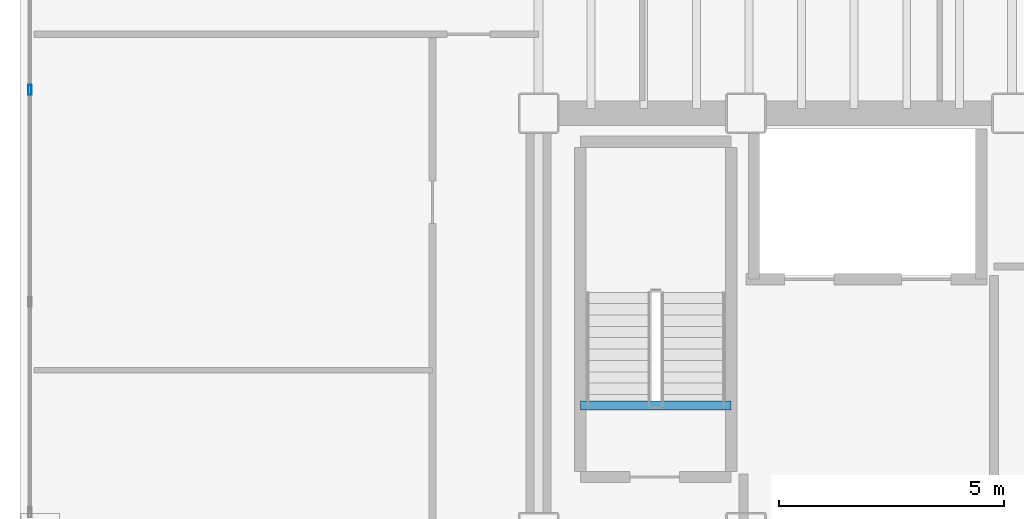
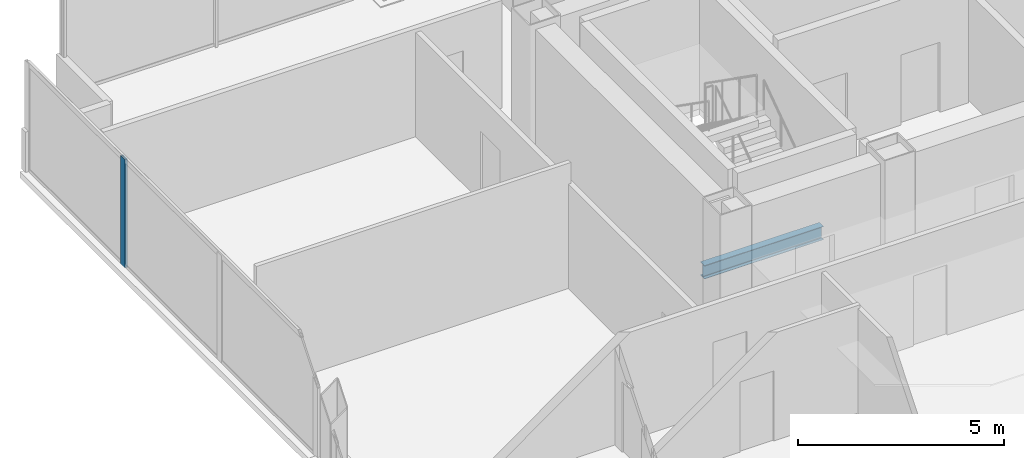
# One storey, part 7 of 19: 1 beam, 1 member, 1 element without a shape of its own.
"""IFC4 building model written with IfcOpenShell, lengths in metres."""

from ifc_helpers import new_model, si_unit, direction, frame, origin, origin_2d, place, context, subcontext, project, spatial, hollow_rectangle, i_section, extrude, material, material_profile, profile_set, type_object, element, aggregate, save


model = new_model("IFC4")

# Units and contexts
model_context = context("Model", 3, precision=1e-05, world=origin(), true_north=direction((0.0, 1.0)))
body_context = subcontext(model_context, "Body", "Model", "MODEL_VIEW")
ifc_project = project(units=[si_unit("LENGTHUNIT", "METRE"), si_unit("AREAUNIT", "SQUARE_METRE"), si_unit("VOLUMEUNIT", "CUBIC_METRE"), si_unit("PLANEANGLEUNIT", "RADIAN"), si_unit("MASSUNIT", "GRAM", prefix="KILO")], contexts=[model_context])

# Site, building, storey
site_placement = place(None, origin())
site = spatial("IfcSite", under=ifc_project, at=site_placement, CompositionType="ELEMENT")
building_placement = place(site_placement, origin())
building = spatial("IfcBuilding", under=site, at=building_placement, Name="Noeulbin Bourse Tower", CompositionType="ELEMENT")
storey_placement = place(building_placement, frame((0.0, 0.0, 157.800048828125)))
storey = spatial("IfcBuildingStorey", under=building, at=storey_placement, Name="L39", CompositionType="ELEMENT", Elevation=157.800048828125)

# Beam
ifc_material_1 = material(Name="Steel S355", Category="steel")
ifc_material_profile_1 = material_profile(ifc_material_1, i_section(OverallWidth=0.199951171875, OverallDepth=0.39990234375, WebThickness=0.008056640625, FlangeThickness=0.012939453125, FilletRadius=0.01611328125, at=origin_2d()), Name="H-400x200x8x13", Category="LoadBearing")
ifc_profile_set_1 = profile_set([ifc_material_profile_1], Name="Steel S355")
beam_type = type_object("IfcBeamType", Name="BM-SEC-400", PredefinedType="BEAM", material=ifc_profile_set_1)
beam_placement = place(storey_placement, frame((14.429931640625, 31.820068359375, -0.199951171875), z_axis=(1.0, 0.0, 0.0), x_axis=(0.0, 1.0, 0.0)))
element("IfcBeam", 1, at=beam_placement, inside=storey, type_object=beam_type, Name="Stair Threshold Trimmer Beam ST1-L39", PredefinedType="BEAM", context=body_context, shape_type="SweptSolid", body=[
    extrude(i_section(OverallWidth=0.199951171875, OverallDepth=0.39990234375, WebThickness=0.008056640625, FlangeThickness=0.012939453125, FilletRadius=0.01611328125, at=origin_2d()), origin(), (0.0, 0.0, 1.0), 3.340087890625),
])

# Curtain wall, member
ifc_material_2 = material(Name="Dark Tinted Triple Glazing", Category="glass")
curtain_wall_type = type_object("IfcCurtainWallType", Name="CW-SYS-3", PredefinedType="NOTDEFINED", material=ifc_material_2)
curtain_wall_placement = place(storey_placement, origin())
curtain_wall = element("IfcCurtainWall", 2, at=curtain_wall_placement, inside=storey, type_object=curtain_wall_type, Name="Unitised Curtain Wall CW-L39-W-S2", PredefinedType="NOTDEFINED")
ifc_material_3 = material(Name="Anodised Aluminium 6063-T6", Category="aluminium")
ifc_material_profile_2 = material_profile(ifc_material_3, hollow_rectangle(XDim=0.074951171875, YDim=0.219970703125, WallThickness=0.0048828125, InnerFilletRadius=0.00244140625, OuterFilletRadius=0.0048828125, at=origin_2d()), Name="ALU-MULL-75x220x5", Category="LoadBearing")
ifc_profile_set_2 = profile_set([ifc_material_profile_2], Name="Anodised Aluminium 6063-T6")
member_type = type_object("IfcMemberType", Name="CW-SYS-3-MUL", PredefinedType="MULLION", material=ifc_profile_set_2)
member_placement = place(storey_placement, frame((2.219970703125, 38.816650390625, -0.02001953125), z_axis=(0.0, 0.0, 1.0), x_axis=(1.0, 0.0, 0.0)))
member = element("IfcMember", 3, at=member_placement, type_object=member_type, Name="Curtain Wall Mullion CW-L39-W-S2-M02", PredefinedType="MULLION", context=body_context, shape_type="SweptSolid", body=[
    extrude(hollow_rectangle(XDim=0.074951171875, YDim=0.219970703125, WallThickness=0.0048828125, InnerFilletRadius=0.00244140625, OuterFilletRadius=0.0048828125, at=origin_2d()), origin(), (0.0, 0.0, 1.0), 3.219970703125),
])
aggregate(curtain_wall, [member])

save(model, "model.ifc")
